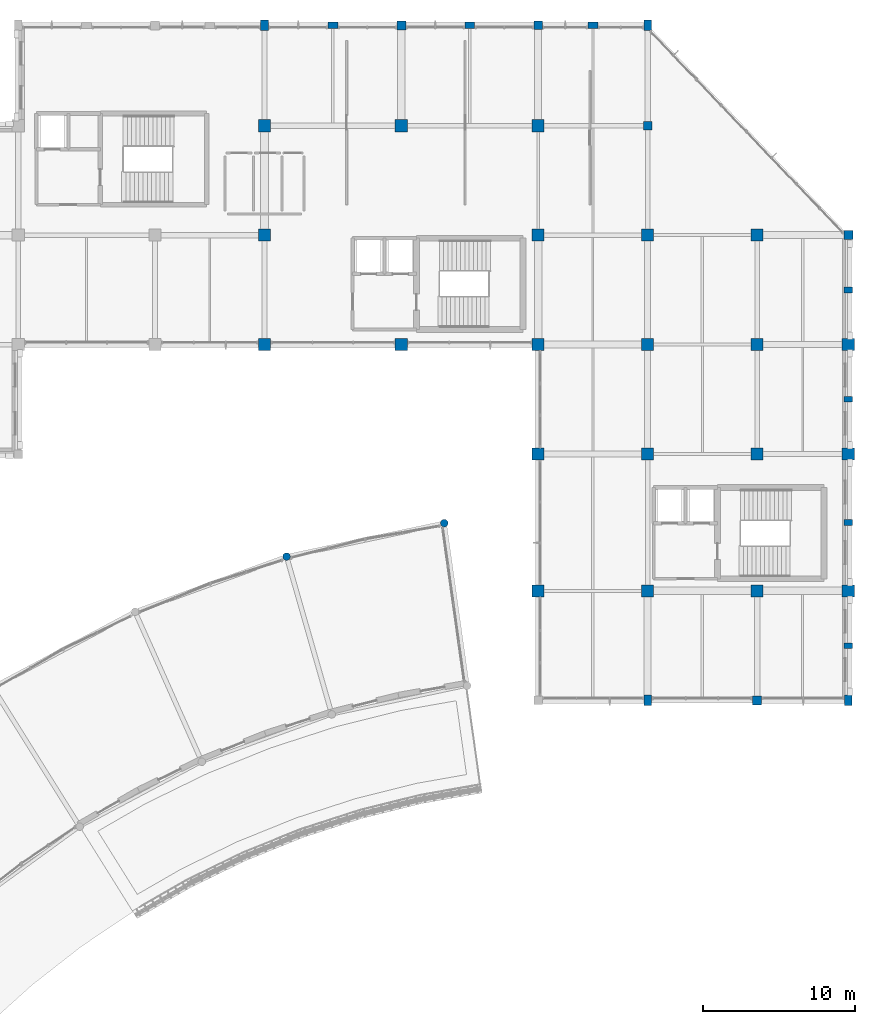
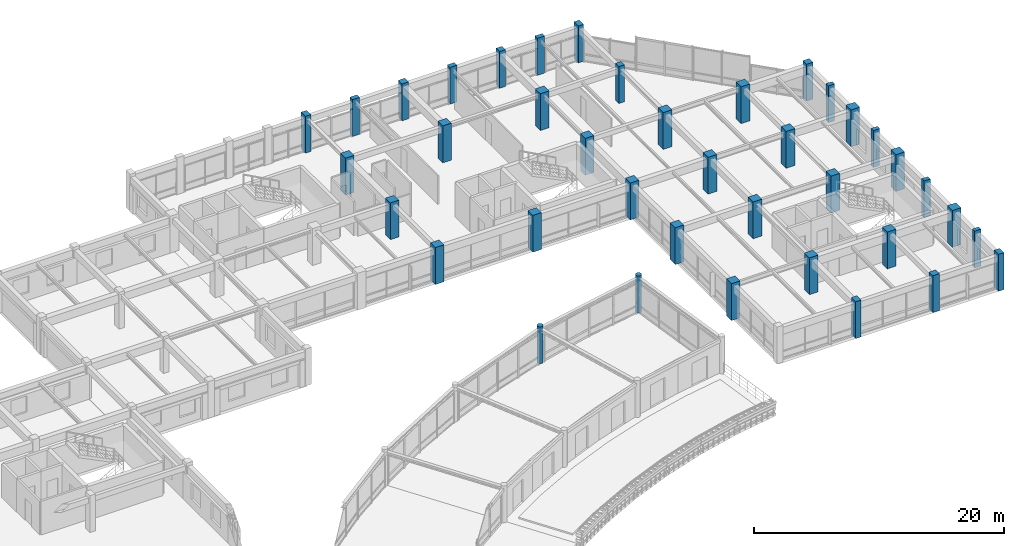
# One storey, part 3 of 74: 39 columns.
"""IFC4 building model written with IfcOpenShell, lengths in metres."""

import ifcopenshell
import ifcopenshell.guid

model = None  # the IFC model being written
_history = None  # IfcOwnerHistory: only IFC2X3 demands one
_inside = {}  # id of a spatial element -> (the spatial element, [elements in it])
_under = {}  # id of a project, library or spatial element -> (it, [spatial elements below it])
_declared = {}  # id of a project -> (the project, [libraries it declares])
_typed = {}  # id of a type object -> (the type object, [elements of that type])
_made_of = {}  # id of a material, layer set ... -> (it, [elements and type objects made of it])


def new_model(schema):
    """Start an empty IFC model of exactly this schema.

    Asked for "IFC4X3", IfcOpenShell would pick the latest addendum, in which some entities
    have other attributes; the version numbers below select the first issue.
    IFC2X3 requires an IfcOwnerHistory on every rooted entity: one is made here for all.
    """
    global model, _history
    if schema == "IFC4X3":
        model = ifcopenshell.file(schema_version=(4, 3, 0, 0))
    else:
        model = ifcopenshell.file(schema=schema)
    _inside.clear()
    _under.clear()
    _declared.clear()
    _typed.clear()
    _made_of.clear()
    _history = None
    if model.schema == "IFC2X3":
        org = make("IfcOrganization", Name="unknown")
        user = make(
            "IfcPersonAndOrganization",
            ThePerson=make("IfcPerson", FamilyName="unknown"),
            TheOrganization=org,
        )
        app = make(
            "IfcApplication",
            ApplicationDeveloper=org,
            Version="unknown",
            ApplicationFullName="unknown",
            ApplicationIdentifier="unknown",
        )
        _history = make(
            "IfcOwnerHistory",
            OwningUser=user,
            OwningApplication=app,
            ChangeAction="ADDED",
            CreationDate=0,
        )
    return model


def make(cls, **values):
    """One entity of the class cls with the attributes given. An attribute that is None is left unset."""
    return model.create_entity(
        cls, **{name: value for name, value in values.items() if value is not None}
    )


def rooted(cls, **values):
    """An entity with a GlobalId (a new one), such as an element, a storey or a relation."""
    return make(cls, GlobalId=ifcopenshell.guid.new(), OwnerHistory=_history, **values)


def si_unit(unit_type, name, prefix=None):
    """IfcSIUnit, for example si_unit("LENGTHUNIT", "METRE", prefix="MILLI")."""
    return make("IfcSIUnit", UnitType=unit_type, Prefix=prefix, Name=name)


def assignment(units):
    """IfcUnitAssignment: the units of a project."""
    return None if units is None else make("IfcUnitAssignment", Units=units)


def point(xyz):
    """IfcCartesianPoint."""
    return None if xyz is None else make("IfcCartesianPoint", Coordinates=xyz)


def direction(xyz):
    """IfcDirection."""
    return None if xyz is None else make("IfcDirection", DirectionRatios=xyz)


def frame(location, z_axis=None, x_axis=None):
    """IfcAxis2Placement3D, a coordinate frame: its origin and axes. An axis left out is left unset."""
    return make(
        "IfcAxis2Placement3D",
        Location=point(location),
        Axis=direction(z_axis),
        RefDirection=direction(x_axis),
    )


def frame_2d(location, x_axis=None):
    """IfcAxis2Placement2D, a coordinate frame in the plane: its origin and x axis."""
    return make(
        "IfcAxis2Placement2D", Location=point(location), RefDirection=direction(x_axis)
    )


def origin():
    """The frame at (0, 0, 0) with its axes left unset."""
    return frame((0.0, 0.0, 0.0))


def origin_2d():
    """The frame at (0, 0) in the plane with its x axis left unset."""
    return frame_2d((0.0, 0.0))


def place(relative_to, where):
    """IfcLocalPlacement: puts the frame where relative to a parent placement (None: the world)."""
    return make(
        "IfcLocalPlacement", PlacementRelTo=relative_to, RelativePlacement=where
    )


def context(
    kind, dimensions, precision=None, world=None, true_north=None, identifier=None
):
    """IfcGeometricRepresentationContext, for example the 3D "Model" context."""
    return make(
        "IfcGeometricRepresentationContext",
        ContextIdentifier=identifier,
        ContextType=kind,
        CoordinateSpaceDimension=dimensions,
        Precision=precision,
        WorldCoordinateSystem=world,
        TrueNorth=true_north,
    )


def subcontext(parent, identifier, kind, view, scale=None):
    """IfcGeometricRepresentationSubContext, for example "Body" below "Model"."""
    return make(
        "IfcGeometricRepresentationSubContext",
        ContextIdentifier=identifier,
        ContextType=kind,
        ParentContext=parent,
        TargetScale=scale,
        TargetView=view,
    )


def project(units=None, contexts=None):
    """IfcProject with its units and contexts."""
    return rooted(
        "IfcProject",
        Name="project",
        RepresentationContexts=contexts,
        UnitsInContext=assignment(units),
    )


def spatial(cls, under=None, at=None, **own):
    """A site, building, storey or space (cls), placed at a placement, below another one or the project."""
    s = rooted(cls, ObjectPlacement=at, **own)
    if under is not None:
        _under.setdefault(under.id(), (under, []))[1].append(s)
    return s


def profile(cls, at=None, kind="AREA", **sizes):
    """A parametric profile (cls). Its sizes go by their IFC names, for example OverallWidth=200.0."""
    return make(cls, ProfileType=kind, Position=at, **sizes)


def rectangle(**sizes):
    """IfcRectangleProfileDef."""
    return profile("IfcRectangleProfileDef", **sizes)


def circle(**sizes):
    """IfcCircleProfileDef."""
    return profile("IfcCircleProfileDef", **sizes)


def extrude(swept, where, along, depth):
    """IfcExtrudedAreaSolid: the profile swept, set in the frame where, extruded along a direction by depth."""
    return make(
        "IfcExtrudedAreaSolid",
        SweptArea=swept,
        Position=where,
        ExtrudedDirection=direction(along),
        Depth=depth,
    )


def shape(context_of_items, identifier, shape_type, items):
    """IfcShapeRepresentation: the items that make up one representation, for example the "Body"."""
    return make(
        "IfcShapeRepresentation",
        ContextOfItems=context_of_items,
        RepresentationIdentifier=identifier,
        RepresentationType=shape_type,
        Items=items,
    )


def material(Name=None, Category=None):
    """IfcMaterial."""
    return make("IfcMaterial", Name=Name, Category=Category)


def material_profile(
    of_material, cross_section, Name=None, Category=None, Priority=None
):
    """IfcMaterialProfile: a cross section and its material."""
    return make(
        "IfcMaterialProfile",
        Name=Name,
        Material=of_material,
        Profile=cross_section,
        Priority=Priority,
        Category=Category,
    )


def profile_set(profiles, Name=None, composite=None):
    """IfcMaterialProfileSet."""
    return make(
        "IfcMaterialProfileSet",
        Name=Name,
        MaterialProfiles=profiles,
        CompositeProfile=composite,
    )


def made_of(thing, what):
    """Note that an element or type object is made of a material, layer set ...; save() writes the relation."""
    if what is not None:
        _made_of.setdefault(what.id(), (what, []))[1].append(thing)
    return thing


def type_object(cls, material=None, **own):
    """A type object (cls), such as IfcWallType, which elements share."""
    return made_of(rooted(cls, **own), material)


def element(
    cls,
    number,
    at=None,
    inside=None,
    cuts=None,
    type_object=None,
    material=None,
    context=None,
    identifier="Body",
    shape_type=None,
    held_by="IfcProductDefinitionShape",
    body=None,
    shapes=None,
    **own,
):
    """One element of the class cls, such as IfcWall. Its Tag is "e" and its number.

    at: its placement. inside: the storey or other place that contains it. cuts: it is an
    opening in that element (IfcRelVoidsElement). A single representation is given by context,
    identifier, shape_type and body (its items); several are given by shapes. held_by: the class
    of the entity that holds the representations. save() writes the other relations.
    """
    e = rooted(cls, Tag="e%d" % number, ObjectPlacement=at, **own)
    if body is not None:
        shapes = [shape(context, identifier, shape_type, body)]
    if shapes is not None:
        e.Representation = make(held_by, Representations=shapes)
    if inside is not None:
        _inside.setdefault(inside.id(), (inside, []))[1].append(e)
    if cuts is not None:
        rooted(
            "IfcRelVoidsElement", RelatingBuildingElement=cuts, RelatedOpeningElement=e
        )
    if type_object is not None:
        _typed.setdefault(type_object.id(), (type_object, []))[1].append(e)
    return made_of(e, material)


def aggregate(whole, parts):
    """IfcRelAggregates: a whole, such as a stair, and the parts it consists of."""
    return rooted("IfcRelAggregates", RelatingObject=whole, RelatedObjects=parts)


def save(model, path):
    """Write the relations noted so far, then the file.

    IfcRelAggregates (storeys below a building ...), IfcRelContainedInSpatialStructure (elements
    in a storey), IfcRelDefinesByType, IfcRelAssociatesMaterial and IfcRelDeclares: one each for
    every whole, place, type object, material and project.
    """
    for whole, parts in _under.values():
        aggregate(whole, parts)
    for where, things in _inside.values():
        rooted(
            "IfcRelContainedInSpatialStructure",
            RelatedElements=things,
            RelatingStructure=where,
        )
    for kind, things in _typed.values():
        rooted("IfcRelDefinesByType", RelatedObjects=things, RelatingType=kind)
    for what, things in _made_of.values():
        rooted("IfcRelAssociatesMaterial", RelatedObjects=things, RelatingMaterial=what)
    for by, libraries in _declared.values():
        rooted("IfcRelDeclares", RelatingContext=by, RelatedDefinitions=libraries)
    model.write(path)


model = new_model("IFC4")

# Units and contexts
model_context = context("Model", 3, precision=1e-05, world=origin(), true_north=direction((0.0, 1.0)))
body_context = subcontext(model_context, "Body", "Model", "MODEL_VIEW")
ifc_project = project(units=[si_unit("LENGTHUNIT", "METRE"), si_unit("AREAUNIT", "SQUARE_METRE"), si_unit("VOLUMEUNIT", "CUBIC_METRE"), si_unit("PLANEANGLEUNIT", "RADIAN"), si_unit("MASSUNIT", "GRAM", prefix="KILO")], contexts=[model_context])

# Site, building, storey
site_placement = place(None, origin())
site = spatial("IfcSite", under=ifc_project, at=site_placement, CompositionType="ELEMENT")
building_placement = place(site_placement, origin())
building = spatial("IfcBuilding", under=site, at=building_placement, Name="Clarverna Civic Hall", CompositionType="ELEMENT")
storey_placement = place(building_placement, frame((0.0, 0.0, 9.60009765625)))
storey = spatial("IfcBuildingStorey", under=building, at=storey_placement, Name="L02", CompositionType="ELEMENT", Elevation=9.60009765625)

# Columns
ifc_material_1 = material(Name="Concrete C35/45", Category="concrete")
ifc_material_profile_1 = material_profile(ifc_material_1, circle(Radius=0.25, at=origin_2d()), Name="RC D500")
ifc_profile_set_1 = profile_set([ifc_material_profile_1], Name="Concrete C35/45")
column_type_1 = type_object("IfcColumnType", Name="C-CV3", PredefinedType="COLUMN", material=ifc_profile_set_1)
for number, where, z_axis, x_axis, name in (
    (1, (141.4228515625, 83.260498046875, 0.0), (0.0, 0.0, 1.0), (1.0, 0.0, 0.0), "C-CV3-011"),
    (2, (131.051513671875, 81.055908203125, 0.0), (0.0, 0.0, 1.0), (1.0, 0.0, 0.0), "C-CV3-012"),
):
    element("IfcColumn", number, at=place(storey_placement, frame(where, z_axis=z_axis, x_axis=x_axis)), inside=storey, type_object=column_type_1, Name=name, PredefinedType="COLUMN", context=body_context, shape_type="SweptSolid", body=[
        extrude(circle(Radius=0.25, at=origin_2d()), origin(), (0.0, 0.0, 1.0), 3.599853515625),
    ])
ifc_material_2 = material(Name="Precast concrete C40/50", Category="concrete")
ifc_material_profile_2 = material_profile(ifc_material_2, rectangle(XDim=0.64990234375, YDim=0.419921875, at=origin_2d()), Name="PILASTER 650x420")
ifc_profile_set_2 = profile_set([ifc_material_profile_2], Name="Precast concrete C40/50")
column_type_2 = type_object("IfcColumnType", Name="C-PL1", PredefinedType="PILASTER", material=ifc_profile_set_2)
for number, where, z_axis, x_axis, name in (
    (3, (134.10009765625, 116.0, 0.0), (0.0, 0.0, 1.0), (1.0, 0.0, 0.0), "C-PL1-018"),
    (4, (143.10009765625, 116.0, 0.0), (0.0, 0.0, 1.0), (1.0, 0.0, 0.0), "C-PL1-025"),
    (5, (151.199951171875, 116.0, 0.0), (0.0, 0.0, 1.0), (1.0, 0.0, 0.0), "C-PL1-032"),
):
    element("IfcColumn", number, at=place(storey_placement, frame(where, z_axis=z_axis, x_axis=x_axis)), inside=storey, type_object=column_type_2, Name=name, PredefinedType="PILASTER", context=body_context, shape_type="SweptSolid", body=[
        extrude(rectangle(XDim=0.64990234375, YDim=0.419921875, at=origin_2d()), origin(), (0.0, 0.0, 1.0), 3.599853515625),
    ])
ifc_material_profile_3 = material_profile(ifc_material_2, rectangle(XDim=0.580078125, YDim=0.3798828125, at=origin_2d()), Name="PILASTER 580x380")
ifc_profile_set_3 = profile_set([ifc_material_profile_3], Name="Precast concrete C40/50")
column_type_3 = type_object("IfcColumnType", Name="C-PL2", PredefinedType="PILASTER", material=ifc_profile_set_3)
for number, where, z_axis, x_axis, name in (
    (6, (168.0, 75.199951171875, 0.0), (0.0, 0.0, 1.0), (1.0, 0.0, 0.0), "C-PL2-004"),
    (7, (168.0, 83.300048828125, 0.0), (0.0, 0.0, 1.0), (1.0, 0.0, 0.0), "C-PL2-011"),
    (8, (168.0, 91.39990234375, 0.0), (0.0, 0.0, 1.0), (1.0, 0.0, 0.0), "C-PL2-018"),
    (9, (168.0, 98.60009765625, 0.0), (0.0, 0.0, 1.0), (1.0, 0.0, 0.0), "C-PL2-025"),
):
    element("IfcColumn", number, at=place(storey_placement, frame(where, z_axis=z_axis, x_axis=x_axis)), inside=storey, type_object=column_type_3, Name=name, PredefinedType="PILASTER", context=body_context, shape_type="SweptSolid", body=[
        extrude(rectangle(XDim=0.580078125, YDim=0.3798828125, at=origin_2d()), origin(), (0.0, 0.0, 1.0), 3.599853515625),
    ])
ifc_material_profile_4 = material_profile(ifc_material_1, rectangle(XDim=0.60009765625, YDim=0.60009765625, at=origin_2d()), Name="RC 600x600")
ifc_profile_set_4 = profile_set([ifc_material_profile_4], Name="Concrete C35/45")
column_type_4 = type_object("IfcColumnType", Name="C-RC10", PredefinedType="COLUMN", material=ifc_profile_set_4)
for number, where, z_axis, x_axis, name in (
    (10, (138.60009765625, 116.0, 0.0), (0.0, 0.0, 1.0), (1.0, 0.0, 0.0), "C-RC10-050"),
    (11, (162.0, 71.60009765625, 0.0), (0.0, 0.0, 1.0), (1.0, 0.0, 0.0), "C-RC10-060"),
    (12, (168.0, 102.199951171875, 0.0), (0.0, 0.0, 1.0), (1.0, 0.0, 0.0), "C-RC10-068"),
):
    element("IfcColumn", number, at=place(storey_placement, frame(where, z_axis=z_axis, x_axis=x_axis)), inside=storey, type_object=column_type_4, Name=name, PredefinedType="COLUMN", context=body_context, shape_type="SweptSolid", body=[
        extrude(rectangle(XDim=0.60009765625, YDim=0.60009765625, at=origin_2d()), origin(), (0.0, 0.0, 1.0), 3.599853515625),
    ])
ifc_material_profile_5 = material_profile(ifc_material_1, rectangle(XDim=0.550048828125, YDim=0.550048828125, at=origin_2d()), Name="RC 550x550")
ifc_profile_set_5 = profile_set([ifc_material_profile_5], Name="Concrete C35/45")
column_type_5 = type_object("IfcColumnType", Name="C-RC11", PredefinedType="COLUMN", material=ifc_profile_set_5)
for number, where, z_axis, x_axis, name in (
    (13, (147.60009765625, 116.0, 0.0), (0.0, 0.0, 1.0), (1.0, 0.0, 0.0), "C-RC11-052"),
    (14, (154.800048828125, 109.39990234375, 0.0), (0.0, 0.0, 1.0), (1.0, 0.0, 0.0), "C-RC11-057"),
):
    element("IfcColumn", number, at=place(storey_placement, frame(where, z_axis=z_axis, x_axis=x_axis)), inside=storey, type_object=column_type_5, Name=name, PredefinedType="COLUMN", context=body_context, shape_type="SweptSolid", body=[
        extrude(rectangle(XDim=0.550048828125, YDim=0.550048828125, at=origin_2d()), origin(), (0.0, 0.0, 1.0), 3.599853515625),
    ])
ifc_material_profile_6 = material_profile(ifc_material_1, rectangle(XDim=0.5, YDim=0.699951171875, at=origin_2d()), Name="RC 500x700")
ifc_profile_set_6 = profile_set([ifc_material_profile_6], Name="Concrete C35/45")
column_type_6 = type_object("IfcColumnType", Name="C-RC17", PredefinedType="COLUMN", material=ifc_profile_set_6)
for number, where, z_axis, x_axis, name in (
    (15, (129.60009765625, 116.0, 0.0), (0.0, 0.0, 1.0), (1.0, 0.0, 0.0), "C-RC17-038"),
    (16, (154.800048828125, 71.60009765625, 0.0), (0.0, 0.0, 1.0), (1.0, 0.0, 0.0), "C-RC17-039"),
    (17, (154.800048828125, 116.0, 0.0), (0.0, 0.0, 1.0), (1.0, 0.0, 0.0), "C-RC17-040"),
    (18, (168.0, 71.60009765625, 0.0), (0.0, 0.0, 1.0), (1.0, 0.0, 0.0), "C-RC17-041"),
):
    element("IfcColumn", number, at=place(storey_placement, frame(where, z_axis=z_axis, x_axis=x_axis)), inside=storey, type_object=column_type_6, Name=name, PredefinedType="COLUMN", context=body_context, shape_type="SweptSolid", body=[
        extrude(rectangle(XDim=0.5, YDim=0.699951171875, at=origin_2d()), origin(), (0.0, 0.0, 1.0), 3.599853515625),
    ])
ifc_material_3 = material(Name="Concrete C40/50", Category="concrete")
ifc_material_profile_7 = material_profile(ifc_material_3, rectangle(XDim=0.800048828125, YDim=0.800048828125, at=origin_2d()), Name="RC 800x800")
ifc_profile_set_7 = profile_set([ifc_material_profile_7], Name="Concrete C40/50")
column_type_7 = type_object("IfcColumnType", Name="C-RC4", PredefinedType="COLUMN", material=ifc_profile_set_7)
for number, where, z_axis, x_axis, name in (
    (19, (129.60009765625, 95.0, 0.0), (0.0, 0.0, 1.0), (1.0, 0.0, 0.0), "C-RC4-063"),
    (20, (129.60009765625, 102.199951171875, 0.0), (0.0, 0.0, 1.0), (1.0, 0.0, 0.0), "C-RC4-064"),
    (21, (129.60009765625, 109.39990234375, 0.0), (0.0, 0.0, 1.0), (1.0, 0.0, 0.0), "C-RC4-065"),
    (22, (138.60009765625, 95.0, 0.0), (0.0, 0.0, 1.0), (1.0, 0.0, 0.0), "C-RC4-069"),
    (23, (138.60009765625, 109.39990234375, 0.0), (0.0, 0.0, 1.0), (1.0, 0.0, 0.0), "C-RC4-070"),
    (24, (147.60009765625, 78.800048828125, 0.0), (0.0, 0.0, 1.0), (1.0, 0.0, 0.0), "C-RC4-075"),
    (25, (147.60009765625, 87.800048828125, 0.0), (0.0, 0.0, 1.0), (1.0, 0.0, 0.0), "C-RC4-076"),
    (26, (147.60009765625, 95.0, 0.0), (0.0, 0.0, 1.0), (1.0, 0.0, 0.0), "C-RC4-077"),
    (27, (147.60009765625, 102.199951171875, 0.0), (0.0, 0.0, 1.0), (1.0, 0.0, 0.0), "C-RC4-078"),
    (28, (147.60009765625, 109.39990234375, 0.0), (0.0, 0.0, 1.0), (1.0, 0.0, 0.0), "C-RC4-079"),
    (29, (154.800048828125, 78.800048828125, 0.0), (0.0, 0.0, 1.0), (1.0, 0.0, 0.0), "C-RC4-083"),
    (30, (154.800048828125, 87.800048828125, 0.0), (0.0, 0.0, 1.0), (1.0, 0.0, 0.0), "C-RC4-084"),
    (31, (154.800048828125, 95.0, 0.0), (0.0, 0.0, 1.0), (1.0, 0.0, 0.0), "C-RC4-085"),
    (32, (154.800048828125, 102.199951171875, 0.0), (0.0, 0.0, 1.0), (1.0, 0.0, 0.0), "C-RC4-086"),
    (33, (162.0, 78.800048828125, 0.0), (0.0, 0.0, 1.0), (1.0, 0.0, 0.0), "C-RC4-091"),
    (34, (162.0, 87.800048828125, 0.0), (0.0, 0.0, 1.0), (1.0, 0.0, 0.0), "C-RC4-092"),
    (35, (162.0, 95.0, 0.0), (0.0, 0.0, 1.0), (1.0, 0.0, 0.0), "C-RC4-093"),
    (36, (162.0, 102.199951171875, 0.0), (0.0, 0.0, 1.0), (1.0, 0.0, 0.0), "C-RC4-094"),
    (37, (168.0, 78.800048828125, 0.0), (0.0, 0.0, 1.0), (1.0, 0.0, 0.0), "C-RC4-098"),
    (38, (168.0, 87.800048828125, 0.0), (0.0, 0.0, 1.0), (1.0, 0.0, 0.0), "C-RC4-099"),
    (39, (168.0, 95.0, 0.0), (0.0, 0.0, 1.0), (1.0, 0.0, 0.0), "C-RC4-100"),
):
    element("IfcColumn", number, at=place(storey_placement, frame(where, z_axis=z_axis, x_axis=x_axis)), inside=storey, type_object=column_type_7, Name=name, PredefinedType="COLUMN", context=body_context, shape_type="SweptSolid", body=[
        extrude(rectangle(XDim=0.800048828125, YDim=0.800048828125, at=origin_2d()), origin(), (0.0, 0.0, 1.0), 3.599853515625),
    ])

save(model, "model.ifc")
